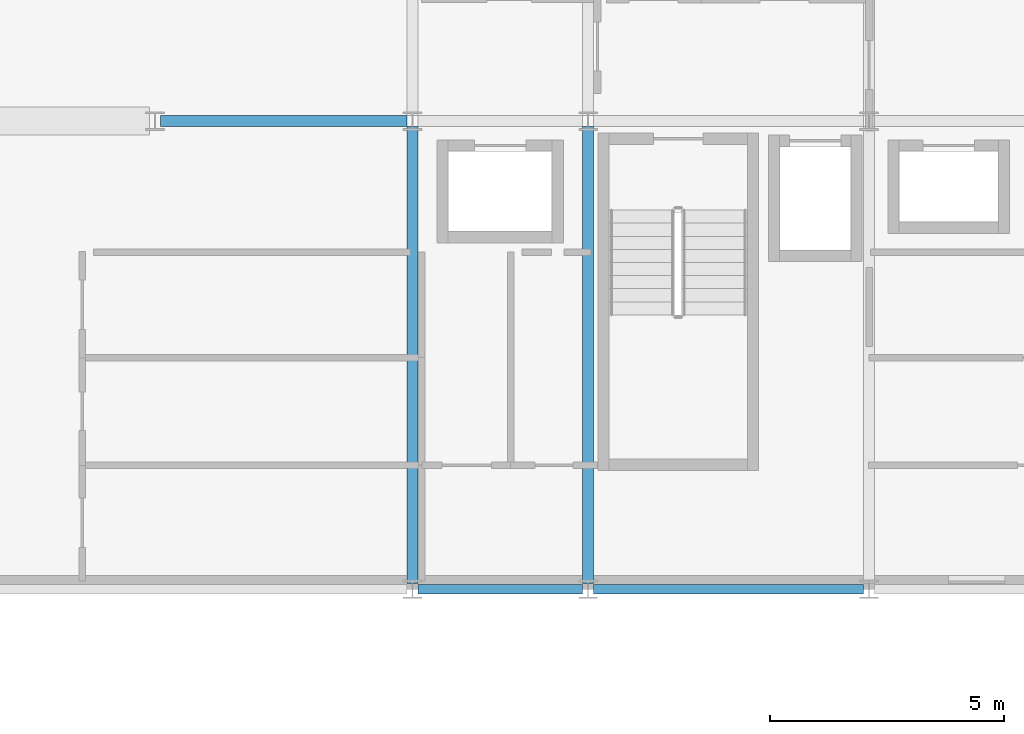
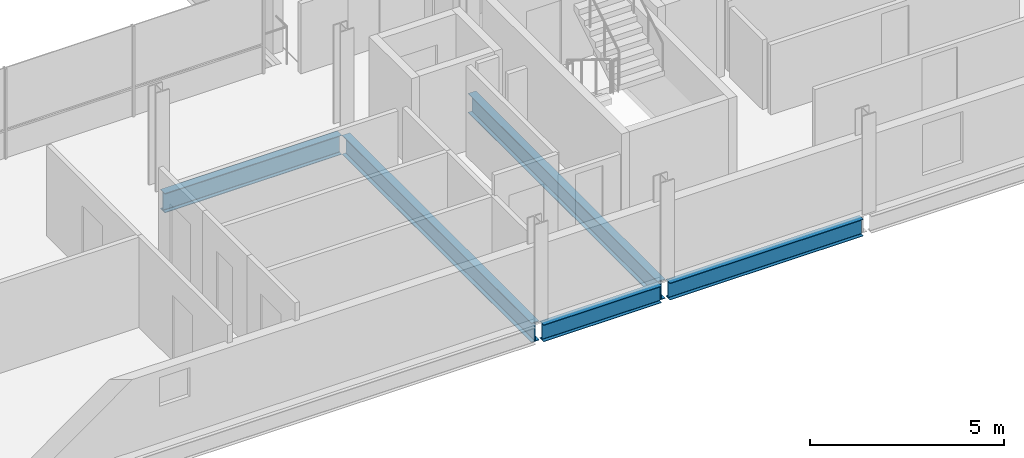
# One storey, part 15 of 36: 5 beams.
"""IFC4 building model written with IfcOpenShell, lengths in metres."""

from ifc_helpers import new_model, si_unit, direction, frame, origin, origin_2d, place, context, subcontext, project, spatial, i_section, extrude, material, material_profile, profile_set, type_object, element, save


model = new_model("IFC4")

# Units and contexts
model_context = context("Model", 3, precision=1e-05, world=origin(), true_north=direction((0.0, 1.0)))
body_context = subcontext(model_context, "Body", "Model", "MODEL_VIEW")
ifc_project = project(units=[si_unit("LENGTHUNIT", "METRE"), si_unit("AREAUNIT", "SQUARE_METRE"), si_unit("VOLUMEUNIT", "CUBIC_METRE"), si_unit("PLANEANGLEUNIT", "RADIAN"), si_unit("MASSUNIT", "GRAM", prefix="KILO")], contexts=[model_context])

# Site, building, storey
site_placement = place(None, origin())
site = spatial("IfcSite", under=ifc_project, at=site_placement, CompositionType="ELEMENT")
building_placement = place(site_placement, origin())
building = spatial("IfcBuilding", under=site, at=building_placement, Name="Brevholm Reach", CompositionType="ELEMENT")
storey_placement = place(building_placement, frame((0.0, 0.0, 175.89990234375)))
storey = spatial("IfcBuildingStorey", under=building, at=storey_placement, Name="L53", CompositionType="ELEMENT", Elevation=175.89990234375)

# Beams
ifc_material_1 = material(Name="Structural Steel S355J2", Category="steel")
ifc_material_profile_1 = material_profile(ifc_material_1, i_section(OverallWidth=0.209228515625, OverallDepth=0.533203125, WebThickness=0.010009765625, FlangeThickness=0.015625, FilletRadius=0.0126953125, at=origin_2d()), Name="UKB 533x210x92")
ifc_profile_set_1 = profile_set([ifc_material_profile_1], Name="Structural Steel S355J2")
beam_type_1 = type_object("IfcBeamType", Name="BM-SP533", PredefinedType="SPANDREL", material=ifc_profile_set_1)
beam_1_placement = place(storey_placement, frame((38.3701171875, 0.0, -0.4765625), z_axis=(1.0, 0.0, 0.0), x_axis=(0.0, 1.0, 0.0)))
element("IfcBeam", 1, at=beam_1_placement, inside=storey, type_object=beam_type_1, Name="L53 SP-02 Framing Beam", PredefinedType="SPANDREL", context=body_context, shape_type="SweptSolid", body=[
    extrude(i_section(OverallWidth=0.209228515625, OverallDepth=0.533203125, WebThickness=0.010009765625, FlangeThickness=0.015625, FilletRadius=0.0126953125, at=origin_2d()), origin(), (0.0, 0.0, 1.0), 3.509765625),
])
beam_2_placement = place(storey_placement, frame((42.1201171875, 0.0, -0.4765625), z_axis=(1.0, 0.0, 0.0), x_axis=(0.0, 1.0, 0.0)))
element("IfcBeam", 2, at=beam_2_placement, inside=storey, type_object=beam_type_1, Name="L53 SP-02 Framing Beam", PredefinedType="SPANDREL", context=body_context, shape_type="SweptSolid", body=[
    extrude(i_section(OverallWidth=0.209228515625, OverallDepth=0.533203125, WebThickness=0.010009765625, FlangeThickness=0.015625, FilletRadius=0.0126953125, at=origin_2d()), origin(), (0.0, 0.0, 1.0), 5.759765625),
])
ifc_material_2 = material(Name="Structural Steel S355J2", Category="steel")
ifc_material_profile_2 = material_profile(ifc_material_2, i_section(OverallWidth=0.22900390625, OverallDepth=0.6123046875, WebThickness=0.011962890625, FlangeThickness=0.01953125, FilletRadius=0.0126953125, at=origin_2d()), Name="UKB 610x229x125")
ifc_profile_set_2 = profile_set([ifc_material_profile_2], Name="Structural Steel S355J2")
beam_type_2 = type_object("IfcBeamType", Name="BM-SP610", PredefinedType="SPANDREL", material=ifc_profile_set_2)
beam_3_placement = place(storey_placement, frame((32.8701171875, 10.0, -0.51611328125), z_axis=(1.0, 0.0, 0.0), x_axis=(0.0, 1.0, 0.0)))
element("IfcBeam", 3, at=beam_3_placement, inside=storey, type_object=beam_type_2, Name="L53 SP-01 Framing Beam", PredefinedType="SPANDREL", context=body_context, shape_type="SweptSolid", body=[
    extrude(i_section(OverallWidth=0.22900390625, OverallDepth=0.6123046875, WebThickness=0.011962890625, FlangeThickness=0.01953125, FilletRadius=0.0126953125, at=origin_2d()), origin(), (0.0, 0.0, 1.0), 5.259765625),
])
for number, where, z_axis, x_axis, name in (
    (4, (38.25, 0.1201171875, -0.51611328125), (0.0, 1.0, 0.0), (-1.0, 0.0, 0.0), "L53 SP-01 Framing Beam"),
    (5, (42.0, 0.1201171875, -0.51611328125), (0.0, 1.0, 0.0), (-1.0, 0.0, 0.0), "L53 SP-01 Framing Beam"),
):
    element("IfcBeam", number, at=place(storey_placement, frame(where, z_axis=z_axis, x_axis=x_axis)), inside=storey, type_object=beam_type_2, Name=name, PredefinedType="SPANDREL", context=body_context, shape_type="SweptSolid", body=[
        extrude(i_section(OverallWidth=0.22900390625, OverallDepth=0.6123046875, WebThickness=0.011962890625, FlangeThickness=0.01953125, FilletRadius=0.0126953125, at=origin_2d()), origin(), (0.0, 0.0, 1.0), 9.759765625),
    ])

save(model, "model.ifc")
